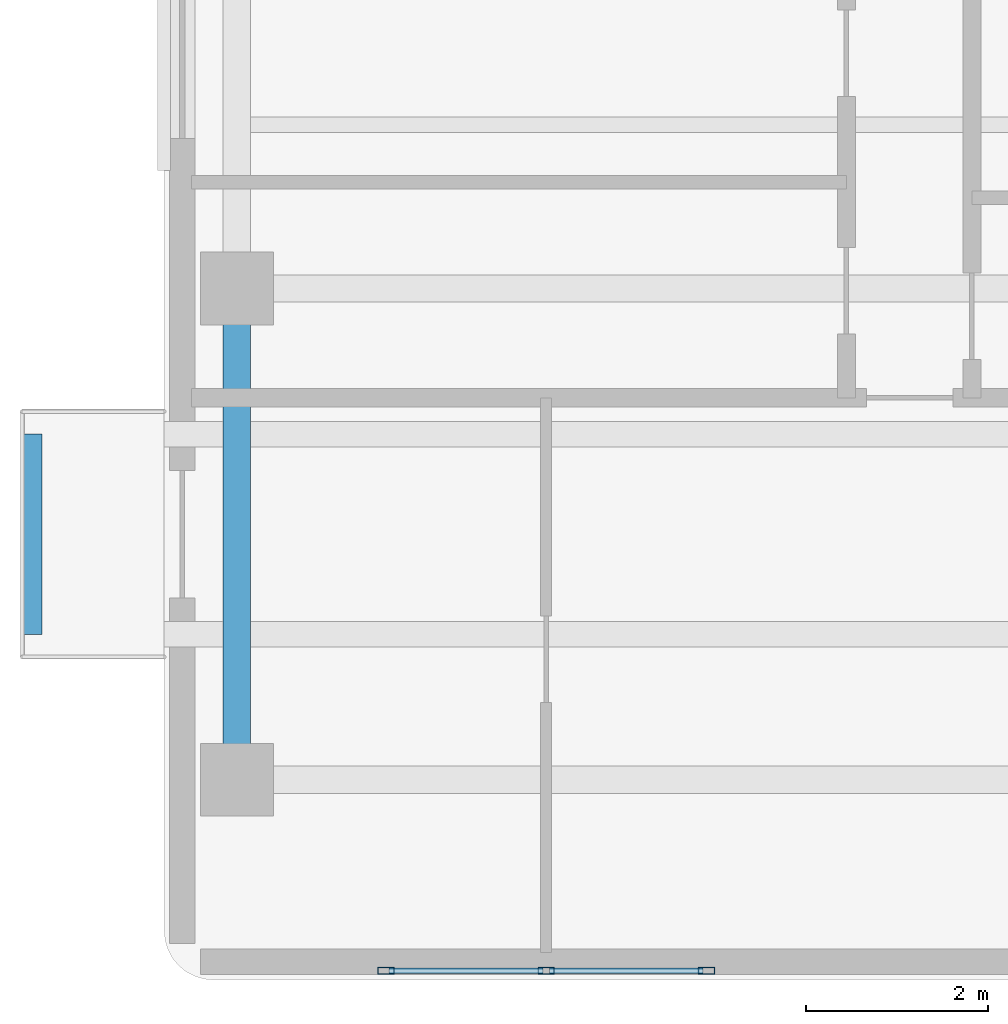
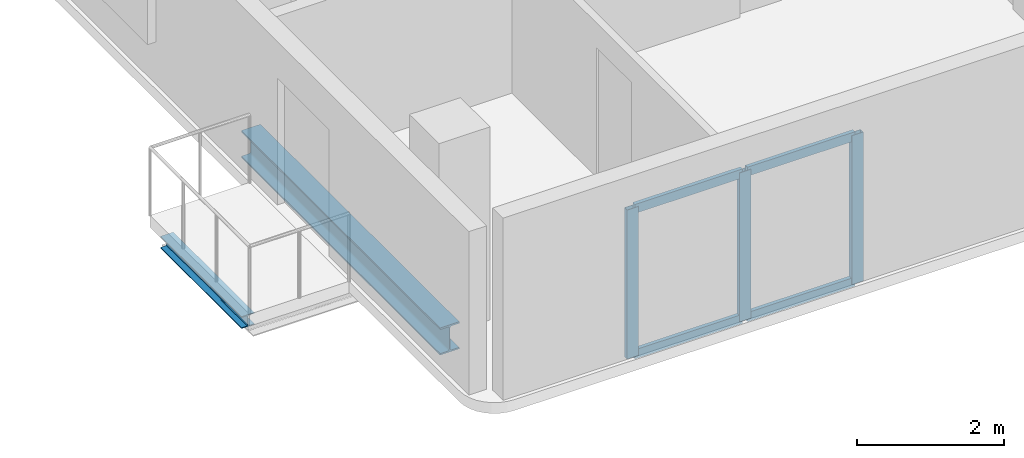
# One storey, part 2 of 11: 7 members, 2 beams, 1 element without a shape of its own.
"""IFC4 building model written with IfcOpenShell, lengths in metres."""

from ifc_helpers import new_model, si_unit, direction, frame, origin, origin_2d, place, context, subcontext, project, spatial, hollow_rectangle, i_section, extrude, material, material_profile, profile_set, type_object, element, aggregate, save


model = new_model("IFC4")

# Units and contexts
model_context = context("Model", 3, precision=1e-05, world=origin(), true_north=direction((0.0, 1.0)))
body_context = subcontext(model_context, "Body", "Model", "MODEL_VIEW")
ifc_project = project(units=[si_unit("LENGTHUNIT", "METRE"), si_unit("AREAUNIT", "SQUARE_METRE"), si_unit("VOLUMEUNIT", "CUBIC_METRE"), si_unit("PLANEANGLEUNIT", "RADIAN"), si_unit("MASSUNIT", "GRAM", prefix="KILO")], contexts=[model_context])

# Site, building, storey
site_placement = place(None, origin())
site = spatial("IfcSite", under=ifc_project, at=site_placement, CompositionType="ELEMENT")
building_placement = place(site_placement, origin())
building = spatial("IfcBuilding", under=site, at=building_placement, Name="Kuzgunbayir Cultural Tower", CompositionType="ELEMENT")
storey_placement = place(building_placement, frame((0.0, 0.0, 237.60009765625)))
storey = spatial("IfcBuildingStorey", under=building, at=storey_placement, Name="L70", CompositionType="ELEMENT", Elevation=237.60009765625)

# Beams
ifc_material_1 = material(Name="Steel S355J2", Category="steel")
ifc_material_profile_1 = material_profile(ifc_material_1, i_section(OverallWidth=0.199951171875, OverallDepth=0.199951171875, WebThickness=0.009033203125, FlangeThickness=0.014892578125, FilletRadius=0.01806640625, at=origin_2d()), Name="HEB 200")
ifc_profile_set_1 = profile_set([ifc_material_profile_1], Name="Steel S355J2")
beam_type_1 = type_object("IfcBeamType", Name="BM-CAN-HEB200", PredefinedType="BEAM", material=ifc_profile_set_1)
beam_1_placement = place(storey_placement, frame((3.159912109375, 14.199951171875, -0.300048828125), z_axis=(0.0, 1.0, 0.0), x_axis=(-1.0, 0.0, 0.0)))
element("IfcBeam", 1, at=beam_1_placement, inside=storey, type_object=beam_type_1, Name="L70 Balcony Edge Header BAL-L70-WA1", PredefinedType="BEAM", context=body_context, shape_type="SweptSolid", body=[
    extrude(i_section(OverallWidth=0.199951171875, OverallDepth=0.199951171875, WebThickness=0.009033203125, FlangeThickness=0.014892578125, FilletRadius=0.01806640625, at=origin_2d()), origin(), (0.0, 0.0, 1.0), 2.199951171875),
])
ifc_material_profile_2 = material_profile(ifc_material_1, i_section(OverallWidth=0.300048828125, OverallDepth=0.449951171875, WebThickness=0.013916015625, FlangeThickness=0.02587890625, FilletRadius=0.027099609375, at=origin_2d()), Name="HEB 450")
ifc_profile_set_2 = profile_set([ifc_material_profile_2], Name="Steel S355J2")
beam_type_2 = type_object("IfcBeamType", Name="BM-EXT-HEB450", PredefinedType="BEAM", material=ifc_profile_set_2)
beam_2_placement = place(storey_placement, frame((5.39990234375, 12.60009765625, -0.41015625), z_axis=(0.0, 1.0, 0.0), x_axis=(-1.0, 0.0, 0.0)))
element("IfcBeam", 2, at=beam_2_placement, inside=storey, type_object=beam_type_2, Name="L70 Wing A West Girder 1", PredefinedType="BEAM", context=body_context, shape_type="SweptSolid", body=[
    extrude(i_section(OverallWidth=0.300048828125, OverallDepth=0.449951171875, WebThickness=0.013916015625, FlangeThickness=0.02587890625, FilletRadius=0.027099609375, at=origin_2d()), origin(), (0.0, 0.0, 1.0), 5.39990234375),
])

# Curtain wall, members
ifc_material_2 = material(Name="Anodised Aluminium Framing", Category="aluminium")
curtain_wall_type = type_object("IfcCurtainWallType", Name="CW06-OBSERVATORY", PredefinedType="NOTDEFINED", material=ifc_material_2)
curtain_wall_placement = place(storey_placement, origin())
curtain_wall = element("IfcCurtainWall", 3, at=curtain_wall_placement, inside=storey, type_object=curtain_wall_type, Name="L70 Crown Observatory South Curtain Wall", PredefinedType="NOTDEFINED")
ifc_material_profile_3 = material_profile(ifc_material_2, hollow_rectangle(XDim=0.074951171875, YDim=0.179931640625, WallThickness=0.0048828125, at=origin_2d()), Name="RHS 180x75x5")
ifc_profile_set_3 = profile_set([ifc_material_profile_3], Name="Anodised Aluminium Framing")
member_type_1 = type_object("IfcMemberType", Name="MEM-CW-MULLION-180", PredefinedType="MULLION", material=ifc_profile_set_3)
member_1_placement = place(storey_placement, frame((7.03759765625, 10.5, 0.0), z_axis=(0.0, 0.0, 1.0), x_axis=(0.0, 1.0, 0.0)))
member_1 = element("IfcMember", 4, at=member_1_placement, type_object=member_type_1, Name="CW06 mullion 1", PredefinedType="MULLION", context=body_context, shape_type="SweptSolid", body=[
    extrude(hollow_rectangle(XDim=0.074951171875, YDim=0.179931640625, WallThickness=0.0048828125, at=origin_2d()), origin(), (0.0, 0.0, 1.0), 2.469970703125),
])
member_2_placement = place(storey_placement, frame((8.800048828125, 10.5, 0.0), z_axis=(0.0, 0.0, 1.0), x_axis=(0.0, 1.0, 0.0)))
member_2 = element("IfcMember", 5, at=member_2_placement, type_object=member_type_1, Name="CW06 mullion 2", PredefinedType="MULLION", context=body_context, shape_type="SweptSolid", body=[
    extrude(hollow_rectangle(XDim=0.074951171875, YDim=0.179931640625, WallThickness=0.0048828125, at=origin_2d()), origin(), (0.0, 0.0, 1.0), 2.469970703125),
])
member_3_placement = place(storey_placement, frame((10.5625, 10.5, 0.0), z_axis=(0.0, 0.0, 1.0), x_axis=(0.0, 1.0, 0.0)))
member_3 = element("IfcMember", 6, at=member_3_placement, type_object=member_type_1, Name="CW06 mullion 3", PredefinedType="MULLION", context=body_context, shape_type="SweptSolid", body=[
    extrude(hollow_rectangle(XDim=0.074951171875, YDim=0.179931640625, WallThickness=0.0048828125, at=origin_2d()), origin(), (0.0, 0.0, 1.0), 2.469970703125),
])
ifc_material_profile_4 = material_profile(ifc_material_2, hollow_rectangle(XDim=0.06005859375, YDim=0.14990234375, WallThickness=0.00390625, at=origin_2d()), Name="RHS 150x60x4")
ifc_profile_set_4 = profile_set([ifc_material_profile_4], Name="Anodised Aluminium Framing")
member_type_2 = type_object("IfcMemberType", Name="MEM-CW-TRANSOM-150", PredefinedType="USERDEFINED", material=ifc_profile_set_4)
member_4_placement = place(storey_placement, frame((7.074951171875, 10.5, 0.02978515625), z_axis=(1.0, 0.0, 0.0), x_axis=(0.0, 1.0, 0.0)))
member_4 = element("IfcMember", 7, at=member_4_placement, type_object=member_type_2, Name="CW06 transom 1.1", ObjectType="TRANSOM", PredefinedType="USERDEFINED", context=body_context, shape_type="SweptSolid", body=[
    extrude(hollow_rectangle(XDim=0.06005859375, YDim=0.14990234375, WallThickness=0.00390625, at=origin_2d()), origin(), (0.0, 0.0, 1.0), 1.6875),
])
member_5_placement = place(storey_placement, frame((7.074951171875, 10.5, 2.43994140625), z_axis=(1.0, 0.0, 0.0), x_axis=(0.0, 1.0, 0.0)))
member_5 = element("IfcMember", 8, at=member_5_placement, type_object=member_type_2, Name="CW06 transom 1.2", ObjectType="TRANSOM", PredefinedType="USERDEFINED", context=body_context, shape_type="SweptSolid", body=[
    extrude(hollow_rectangle(XDim=0.06005859375, YDim=0.14990234375, WallThickness=0.00390625, at=origin_2d()), origin(), (0.0, 0.0, 1.0), 1.6875),
])
member_6_placement = place(storey_placement, frame((8.83740234375, 10.5, 0.02978515625), z_axis=(1.0, 0.0, 0.0), x_axis=(0.0, 1.0, 0.0)))
member_6 = element("IfcMember", 9, at=member_6_placement, type_object=member_type_2, Name="CW06 transom 2.1", ObjectType="TRANSOM", PredefinedType="USERDEFINED", context=body_context, shape_type="SweptSolid", body=[
    extrude(hollow_rectangle(XDim=0.06005859375, YDim=0.14990234375, WallThickness=0.00390625, at=origin_2d()), origin(), (0.0, 0.0, 1.0), 1.6875),
])
member_7_placement = place(storey_placement, frame((8.83740234375, 10.5, 2.43994140625), z_axis=(1.0, 0.0, 0.0), x_axis=(0.0, 1.0, 0.0)))
member_7 = element("IfcMember", 10, at=member_7_placement, type_object=member_type_2, Name="CW06 transom 2.2", ObjectType="TRANSOM", PredefinedType="USERDEFINED", context=body_context, shape_type="SweptSolid", body=[
    extrude(hollow_rectangle(XDim=0.06005859375, YDim=0.14990234375, WallThickness=0.00390625, at=origin_2d()), origin(), (0.0, 0.0, 1.0), 1.6875),
])
aggregate(curtain_wall, [member_1, member_2, member_3, member_4, member_5, member_6, member_7])

save(model, "model.ifc")
